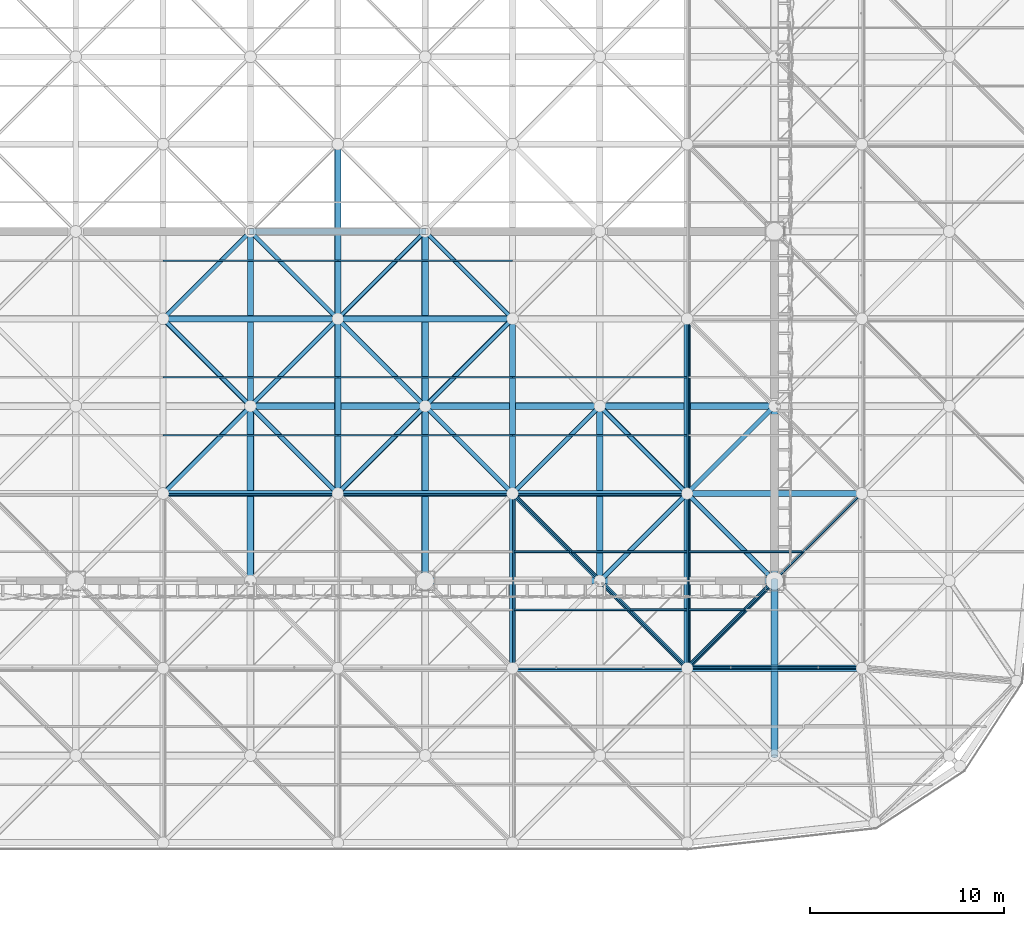
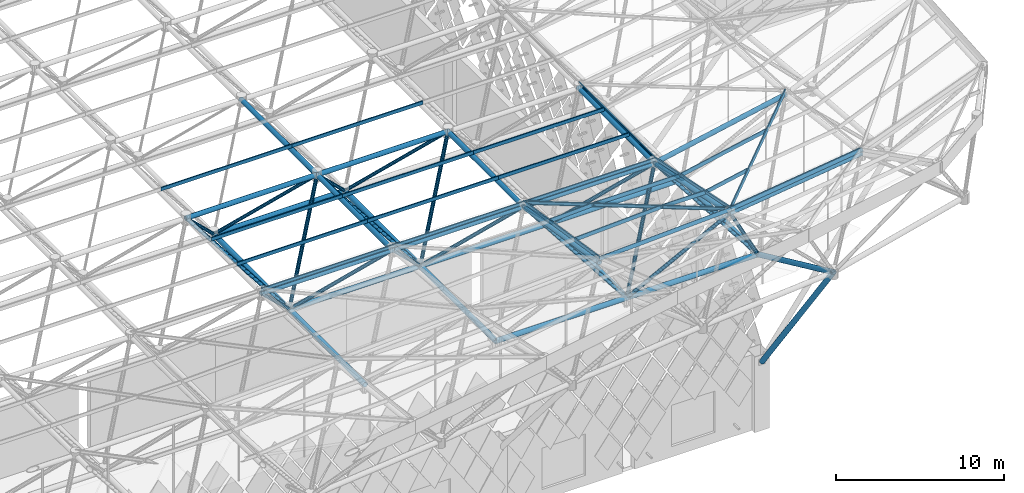
# One storey, part 89 of 437: 72 members.
"""IFC4 building model written with IfcOpenShell, lengths in metres."""

from ifc_helpers import new_model, si_unit, direction, frame, origin, origin_2d, place, context, subcontext, project, spatial, polyline, hollow_circle, outline, extrude, material, material_profile, profile_set, type_object, element, save


model = new_model("IFC4")

# Units and contexts
model_context = context("Model", 3, precision=1e-05, world=origin(), true_north=direction((0.0, 1.0)))
body_context = subcontext(model_context, "Body", "Model", "MODEL_VIEW")
ifc_project = project(units=[si_unit("LENGTHUNIT", "METRE"), si_unit("AREAUNIT", "SQUARE_METRE"), si_unit("VOLUMEUNIT", "CUBIC_METRE"), si_unit("PLANEANGLEUNIT", "RADIAN"), si_unit("MASSUNIT", "GRAM", prefix="KILO")], contexts=[model_context])

# Site, building, storey
site_placement = place(None, origin())
site = spatial("IfcSite", under=ifc_project, at=site_placement, CompositionType="ELEMENT")
building_placement = place(site_placement, origin())
building = spatial("IfcBuilding", under=site, at=building_placement, Name="Opaline Strait Convention Centre", CompositionType="ELEMENT")
storey_placement = place(building_placement, frame((0.0, 0.0, 11.5)))
storey = spatial("IfcBuildingStorey", under=building, at=storey_placement, Name="L02", CompositionType="ELEMENT", Elevation=11.5)

# Members
ifc_material = material(Name="Steel Q355B", Category="steel")
ifc_material_profile_1 = material_profile(ifc_material, hollow_circle(Radius=0.175537109375, WallThickness=0.01611328125, at=origin_2d()), Name="CHS 351x16")
ifc_profile_set_1 = profile_set([ifc_material_profile_1], Name="Steel Q355B")
member_type_1 = type_object("IfcMemberType", Name="Raking prop CHS 351x16", PredefinedType="BRACE", material=ifc_profile_set_1)
member_1_placement = place(storey_placement, frame((261.0, 53.48388671875, 5.02197265625), z_axis=(0.0, -0.58919697761, 0.807989431599), x_axis=(1.0, 0.0, 0.0)))
element("IfcMember", 1, at=member_1_placement, inside=storey, type_object=member_type_1, Name="Raking prop 261/54 S", PredefinedType="BRACE", context=body_context, shape_type="SweptSolid", body=[
    extrude(hollow_circle(Radius=0.175537109375, WallThickness=0.01611328125, at=origin_2d()), origin(), (0.0, 0.0, 1.0), 14.44921875),
])
ifc_material_profile_2 = material_profile(ifc_material, outline(polyline([(-0.03759765625, -0.125), (0.03759765625, -0.125), (0.03759765625, -0.10498046875), (0.034912109375, -0.10498046875), (0.034912109375, -0.12255859375), (-0.034912109375, -0.12255859375), (-0.034912109375, 0.12255859375), (0.034912109375, 0.12255859375), (0.034912109375, 0.10498046875), (0.03759765625, 0.10498046875), (0.03759765625, 0.125), (-0.03759765625, 0.125), (-0.03759765625, -0.125)])), Name="C 250x75x20x2.5")
ifc_profile_set_2 = profile_set([ifc_material_profile_2], Name="Steel Q355B")
member_type_2 = type_object("IfcMemberType", Name="Roof purlin C 250x75x20x2.5", PredefinedType="PURLIN", material=ifc_profile_set_2)
member_2_placement = place(storey_placement, frame((247.449951171875, 49.41162109375, 19.698486328125), z_axis=(0.99882696864, 0.0, 0.048421965239), x_axis=(0.019477416429, 0.915532762336, -0.401771566115)))
element("IfcMember", 2, at=member_2_placement, inside=storey, type_object=member_type_2, Name="EXB-RF-E-18-0a", PredefinedType="PURLIN", context=body_context, shape_type="SweptSolid", body=[
    extrude(outline(polyline([(-0.03759765625, -0.125), (0.03759765625, -0.125), (0.03759765625, -0.10498046875), (0.034912109375, -0.10498046875), (0.034912109375, -0.12255859375), (-0.034912109375, -0.12255859375), (-0.034912109375, 0.12255859375), (0.034912109375, 0.12255859375), (0.034912109375, 0.10498046875), (0.03759765625, 0.10498046875), (0.03759765625, 0.125), (-0.03759765625, 0.125), (-0.03759765625, -0.125)])), origin(), (0.0, 0.0, 1.0), 9.11083984375),
])
member_3_placement = place(storey_placement, frame((256.449951171875, 49.412109375, 20.131591796875), z_axis=(0.991630499032, 0.0, 0.129108301009), x_axis=(0.051618787349, 0.916598046716, -0.39646377079)))
element("IfcMember", 3, at=member_3_placement, inside=storey, type_object=member_type_2, Name="EXB-RF-E-19-0b", PredefinedType="PURLIN", context=body_context, shape_type="SweptSolid", body=[
    extrude(outline(polyline([(-0.03759765625, -0.125), (0.03759765625, -0.125), (0.03759765625, -0.10498046875), (0.034912109375, -0.10498046875), (0.034912109375, -0.12255859375), (-0.034912109375, -0.12255859375), (-0.034912109375, 0.12255859375), (0.034912109375, 0.12255859375), (0.034912109375, 0.10498046875), (0.03759765625, 0.10498046875), (0.03759765625, 0.125), (-0.03759765625, 0.125), (-0.03759765625, -0.125)])), origin(), (0.0, 0.0, 1.0), 9.177001953125),
])
for number, where, z_axis, x_axis, name in (
    (4, (238.550048828125, 58.4482421875, 18.26220703125), (-1.0, 0.0, 0.0), (0.0, -0.995149078082, 0.098378414266), "EXB-RF-E-16-1a"),
    (5, (247.550048828125, 58.441650390625, 18.2666015625), (-1.0, 0.0, 0.0), (0.0, -0.988092083083, 0.153863690806), "EXB-RF-E-17-1a"),
):
    element("IfcMember", number, at=place(storey_placement, frame(where, z_axis=z_axis, x_axis=x_axis)), inside=storey, type_object=member_type_2, Name=name, PredefinedType="PURLIN", context=body_context, shape_type="SweptSolid", body=[
        extrude(outline(polyline([(-0.03759765625, -0.125), (0.03759765625, -0.125), (0.03759765625, -0.10498046875), (0.034912109375, -0.10498046875), (0.034912109375, -0.12255859375), (-0.034912109375, -0.12255859375), (-0.034912109375, 0.12255859375), (0.034912109375, 0.12255859375), (0.034912109375, 0.10498046875), (0.03759765625, 0.10498046875), (0.03759765625, 0.125), (-0.03759765625, 0.125), (-0.03759765625, -0.125)])), origin(), (0.0, 0.0, 1.0), 9.10009765625),
    ])
member_4_placement = place(storey_placement, frame((256.5, 49.5, 20.09326171875), z_axis=(-0.699850097558, 0.699850097558, -0.142897452374), x_axis=(-0.712685495403, -0.697562775149, 0.074064562165)))
element("IfcMember", 6, at=member_4_placement, inside=storey, type_object=member_type_2, Name="EXB-RF-F-18-1", PredefinedType="PURLIN", context=body_context, shape_type="SweptSolid", body=[
    extrude(outline(polyline([(-0.03759765625, -0.125), (0.03759765625, -0.125), (0.03759765625, -0.10498046875), (0.034912109375, -0.10498046875), (0.034912109375, -0.12255859375), (-0.034912109375, -0.12255859375), (-0.034912109375, 0.12255859375), (0.034912109375, 0.12255859375), (0.034912109375, 0.10498046875), (0.03759765625, 0.10498046875), (0.03759765625, 0.125), (-0.03759765625, 0.125), (-0.03759765625, -0.125)])), origin(), (0.0, 0.0, 1.0), 12.85986328125),
])
member_5_placement = place(storey_placement, frame((256.550048828125, 58.43603515625, 18.270751953125), z_axis=(-1.0, 0.0, 0.0), x_axis=(0.0, -0.97978004307, 0.200077652928)))
element("IfcMember", 7, at=member_5_placement, inside=storey, type_object=member_type_2, Name="EXB-RF-E-18-1a", PredefinedType="PURLIN", context=body_context, shape_type="SweptSolid", body=[
    extrude(outline(polyline([(-0.03759765625, -0.125), (0.03759765625, -0.125), (0.03759765625, -0.10498046875), (0.034912109375, -0.10498046875), (0.034912109375, -0.12255859375), (-0.034912109375, -0.12255859375), (-0.034912109375, 0.12255859375), (0.034912109375, 0.12255859375), (0.034912109375, 0.10498046875), (0.03759765625, 0.10498046875), (0.03759765625, 0.125), (-0.03759765625, 0.125), (-0.03759765625, -0.125)])), origin(), (0.0, 0.0, 1.0), 9.10009765625),
])
member_6_placement = place(storey_placement, frame((253.550048828125, 52.5, 19.48291015625), z_axis=(1.0, 0.0, 0.0), x_axis=(0.0, 0.97978004307, -0.200077652928)))
element("IfcMember", 8, at=member_6_placement, inside=storey, type_object=member_type_2, Name="EXB-RF-P-18-1-0a", PredefinedType="PURLIN", context=body_context, shape_type="SweptSolid", body=[
    extrude(outline(polyline([(-0.03759765625, -0.125), (0.03759765625, -0.125), (0.03759765625, -0.10498046875), (0.034912109375, -0.10498046875), (0.034912109375, -0.12255859375), (-0.034912109375, -0.12255859375), (-0.034912109375, 0.12255859375), (0.034912109375, 0.12255859375), (0.034912109375, 0.10498046875), (0.03759765625, 0.10498046875), (0.03759765625, 0.125), (-0.03759765625, 0.125), (-0.03759765625, -0.125)])), origin(), (0.0, 0.0, 1.0), 2.949951171875),
])
member_7_placement = place(storey_placement, frame((250.550048828125, 55.5, 18.870361328125), z_axis=(1.0, 0.0, 0.0), x_axis=(0.0, 0.97978004307, -0.200077652928)))
element("IfcMember", 9, at=member_7_placement, inside=storey, type_object=member_type_2, Name="EXB-RF-P-18-1-1a", PredefinedType="PURLIN", context=body_context, shape_type="SweptSolid", body=[
    extrude(outline(polyline([(-0.03759765625, -0.125), (0.03759765625, -0.125), (0.03759765625, -0.10498046875), (0.034912109375, -0.10498046875), (0.034912109375, -0.12255859375), (-0.034912109375, -0.12255859375), (-0.034912109375, 0.12255859375), (0.034912109375, 0.12255859375), (0.034912109375, 0.10498046875), (0.03759765625, 0.10498046875), (0.03759765625, 0.125), (-0.03759765625, 0.125), (-0.03759765625, -0.125)])), origin(), (0.0, 0.0, 1.0), 5.949951171875),
])
member_8_placement = place(storey_placement, frame((247.545654296875, 58.550048828125, 18.251953125), z_axis=(0.0, -0.988093016125, 0.153857698814), x_axis=(0.998854157138, 0.007363297001, 0.047287996623)))
element("IfcMember", 10, at=member_8_placement, inside=storey, type_object=member_type_2, Name="EXB-RF-E-18-1b", PredefinedType="PURLIN", context=body_context, shape_type="SweptSolid", body=[
    extrude(outline(polyline([(-0.03759765625, -0.125), (0.03759765625, -0.125), (0.03759765625, -0.10498046875), (0.034912109375, -0.10498046875), (0.034912109375, -0.12255859375), (-0.034912109375, -0.12255859375), (-0.034912109375, 0.12255859375), (0.034912109375, 0.12255859375), (0.034912109375, 0.10498046875), (0.03759765625, 0.10498046875), (0.03759765625, 0.125), (-0.03759765625, 0.125), (-0.03759765625, -0.125)])), origin(), (0.0, 0.0, 1.0), 9.209716796875),
])
member_9_placement = place(storey_placement, frame((247.580322265625, 52.5, 19.19580078125), z_axis=(0.998826020223, 0.0, 0.048441524814), x_axis=(0.007453391796, 0.988092083083, -0.153683057944)))
element("IfcMember", 11, at=member_9_placement, inside=storey, type_object=member_type_2, Name="EXB-RF-P-18-1-0b", PredefinedType="PURLIN", context=body_context, shape_type="SweptSolid", body=[
    extrude(outline(polyline([(-0.03759765625, -0.125), (0.03759765625, -0.125), (0.03759765625, -0.10498046875), (0.034912109375, -0.10498046875), (0.034912109375, -0.12255859375), (-0.034912109375, -0.12255859375), (-0.034912109375, 0.12255859375), (0.034912109375, 0.12255859375), (0.034912109375, 0.10498046875), (0.03759765625, 0.10498046875), (0.03759765625, 0.125), (-0.03759765625, 0.125), (-0.03759765625, -0.125)])), origin(), (0.0, 0.0, 1.0), 5.87646484375),
])
member_10_placement = place(storey_placement, frame((247.580322265625, 55.5, 18.728515625), z_axis=(0.998826229539, 0.0, 0.048437208681), x_axis=(0.0074527277, 0.988092083083, -0.153683090151)))
element("IfcMember", 12, at=member_10_placement, inside=storey, type_object=member_type_2, Name="EXB-RF-P-18-1-1b", PredefinedType="PURLIN", context=body_context, shape_type="SweptSolid", body=[
    extrude(outline(polyline([(-0.03759765625, -0.125), (0.03759765625, -0.125), (0.03759765625, -0.10498046875), (0.034912109375, -0.10498046875), (0.034912109375, -0.12255859375), (-0.034912109375, -0.12255859375), (-0.034912109375, 0.12255859375), (0.034912109375, 0.12255859375), (0.034912109375, 0.10498046875), (0.03759765625, 0.10498046875), (0.03759765625, 0.125), (-0.03759765625, 0.125), (-0.03759765625, -0.125)])), origin(), (0.0, 0.0, 1.0), 2.873046875),
])
member_11_placement = place(storey_placement, frame((256.5, 49.5, 20.094970703125), z_axis=(0.707106781187, 0.707106781187, 0.0), x_axis=(-0.695418880638, 0.695418880638, -0.181066730526)))
element("IfcMember", 13, at=member_11_placement, inside=storey, type_object=member_type_2, Name="EXB-RF-F-19-1", PredefinedType="PURLIN", context=body_context, shape_type="SweptSolid", body=[
    extrude(outline(polyline([(-0.03759765625, -0.125), (0.03759765625, -0.125), (0.03759765625, -0.10498046875), (0.034912109375, -0.10498046875), (0.034912109375, -0.12255859375), (-0.034912109375, -0.12255859375), (-0.034912109375, 0.12255859375), (0.034912109375, 0.12255859375), (0.034912109375, 0.10498046875), (0.03759765625, 0.10498046875), (0.03759765625, 0.125), (-0.03759765625, 0.125), (-0.03759765625, -0.125)])), origin(), (0.0, 0.0, 1.0), 12.72802734375),
])
member_12_placement = place(storey_placement, frame((256.449951171875, 49.5400390625, 20.08447265625), z_axis=(0.991630499032, 0.0, 0.129108301009), x_axis=(0.016530030007, 0.991770001337, -0.126960712644)))
element("IfcMember", 14, at=member_12_placement, inside=storey, type_object=member_type_2, Name="EXB-RF-E-19-1a", PredefinedType="PURLIN", context=body_context, shape_type="SweptSolid", body=[
    extrude(outline(polyline([(-0.03759765625, -0.125), (0.03759765625, -0.125), (0.03759765625, -0.10498046875), (0.034912109375, -0.10498046875), (0.034912109375, -0.12255859375), (-0.034912109375, -0.12255859375), (-0.034912109375, 0.12255859375), (0.034912109375, 0.12255859375), (0.034912109375, 0.10498046875), (0.03759765625, 0.10498046875), (0.03759765625, 0.125), (-0.03759765625, 0.125), (-0.03759765625, -0.125)])), origin(), (0.0, 0.0, 1.0), 9.177001953125),
])
member_13_placement = place(storey_placement, frame((256.5634765625, 58.550048828125, 18.26318359375), z_axis=(0.0, -0.979783138157, 0.200062495694), x_axis=(0.980566065775, 0.039250095094, 0.192222841219)))
element("IfcMember", 15, at=member_13_placement, inside=storey, type_object=member_type_2, Name="EXB-RF-E-19-1b", PredefinedType="PURLIN", context=body_context, shape_type="SweptSolid", body=[
    extrude(outline(polyline([(-0.03759765625, -0.125), (0.03759765625, -0.125), (0.03759765625, -0.10498046875), (0.034912109375, -0.10498046875), (0.034912109375, -0.12255859375), (-0.034912109375, -0.12255859375), (-0.034912109375, 0.12255859375), (0.034912109375, 0.12255859375), (0.034912109375, 0.10498046875), (0.03759765625, 0.10498046875), (0.03759765625, 0.125), (-0.03759765625, 0.125), (-0.03759765625, -0.125)])), origin(), (0.0, 0.0, 1.0), 9.287841796875),
])
member_14_placement = place(storey_placement, frame((256.59814453125, 52.5, 19.505615234375), z_axis=(0.979785608704, 0.0, 0.200050396093), x_axis=(0.040025613717, 0.97978004307, -0.196033204962)))
element("IfcMember", 16, at=member_14_placement, inside=storey, type_object=member_type_2, Name="EXB-RF-P-19-1-0b", PredefinedType="PURLIN", context=body_context, shape_type="SweptSolid", body=[
    extrude(outline(polyline([(-0.03759765625, -0.125), (0.03759765625, -0.125), (0.03759765625, -0.10498046875), (0.034912109375, -0.10498046875), (0.034912109375, -0.12255859375), (-0.034912109375, -0.12255859375), (-0.034912109375, 0.12255859375), (0.034912109375, 0.12255859375), (0.034912109375, 0.10498046875), (0.03759765625, 0.10498046875), (0.03759765625, 0.125), (-0.03759765625, 0.125), (-0.03759765625, -0.125)])), origin(), (0.0, 0.0, 1.0), 2.91064453125),
])
member_15_placement = place(storey_placement, frame((256.59814453125, 55.5, 18.892822265625), z_axis=(0.979777081939, 0.0, 0.200092153035), x_axis=(0.040033968348, 0.97978004307, -0.196031498947)))
element("IfcMember", 17, at=member_15_placement, inside=storey, type_object=member_type_2, Name="EXB-RF-P-19-1-1b", PredefinedType="PURLIN", context=body_context, shape_type="SweptSolid", body=[
    extrude(outline(polyline([(-0.03759765625, -0.125), (0.03759765625, -0.125), (0.03759765625, -0.10498046875), (0.034912109375, -0.10498046875), (0.034912109375, -0.12255859375), (-0.034912109375, -0.12255859375), (-0.034912109375, 0.12255859375), (0.034912109375, 0.12255859375), (0.034912109375, 0.10498046875), (0.03759765625, 0.10498046875), (0.03759765625, 0.125), (-0.03759765625, 0.125), (-0.03759765625, -0.125)])), origin(), (0.0, 0.0, 1.0), 5.97265625),
])
for number, where, z_axis, x_axis, name in (
    (18, (229.5, 61.5, 18.257080078125), (1.0, 0.0, 0.0), (0.0, 1.0, 0.0), "EXB-RF-P-16-2-0"),
    (19, (229.5, 64.5, 18.257080078125), (1.0, 0.0, 0.0), (0.0, 1.0, 0.0), "EXB-RF-P-16-2-1"),
    (20, (238.5, 61.5, 18.257080078125), (1.0, 0.0, 0.0), (0.0, 1.0, 0.0), "EXB-RF-P-17-2-0"),
    (21, (238.5, 64.5, 18.257080078125), (1.0, 0.0, 0.0), (0.0, 1.0, 0.0), "EXB-RF-P-17-2-1"),
    (22, (247.5, 61.5, 18.257080078125), (1.0, 0.0, 0.0), (0.0, 1.0, 0.0), "EXB-RF-P-18-2-0"),
    (23, (247.5, 64.5, 18.257080078125), (1.0, 0.0, 0.0), (0.0, 1.0, 0.0), "EXB-RF-P-18-2-1"),
):
    element("IfcMember", number, at=place(storey_placement, frame(where, z_axis=z_axis, x_axis=x_axis)), inside=storey, type_object=member_type_2, Name=name, PredefinedType="PURLIN", context=body_context, shape_type="SweptSolid", body=[
        extrude(outline(polyline([(-0.03759765625, -0.125), (0.03759765625, -0.125), (0.03759765625, -0.10498046875), (0.034912109375, -0.10498046875), (0.034912109375, -0.12255859375), (-0.034912109375, -0.12255859375), (-0.034912109375, 0.12255859375), (0.034912109375, 0.12255859375), (0.034912109375, 0.10498046875), (0.03759765625, 0.10498046875), (0.03759765625, 0.125), (-0.03759765625, 0.125), (-0.03759765625, -0.125)])), origin(), (0.0, 0.0, 1.0), 9.0),
    ])
member_16_placement = place(storey_placement, frame((256.56396484375, 58.449951171875, 18.272705078125), z_axis=(0.0, 1.0, 0.0), x_axis=(-0.97978004307, 0.0, -0.200077652928)))
element("IfcMember", 24, at=member_16_placement, inside=storey, type_object=member_type_2, Name="EXB-RF-E-19-2b", PredefinedType="PURLIN", context=body_context, shape_type="SweptSolid", body=[
    extrude(outline(polyline([(-0.03759765625, -0.125), (0.03759765625, -0.125), (0.03759765625, -0.10498046875), (0.034912109375, -0.10498046875), (0.034912109375, -0.12255859375), (-0.034912109375, -0.12255859375), (-0.034912109375, 0.12255859375), (0.034912109375, 0.12255859375), (0.034912109375, 0.10498046875), (0.03759765625, 0.10498046875), (0.03759765625, 0.125), (-0.03759765625, 0.125), (-0.03759765625, -0.125)])), origin(), (0.0, 0.0, 1.0), 9.10009765625),
])
for number, where, z_axis, x_axis, name in (
    (25, (229.5, 70.5, 18.257080078125), (1.0, 0.0, 0.0), (0.0, 1.0, 0.0), "EXB-RF-P-16-3-0"),
    (26, (238.5, 70.5, 18.257080078125), (1.0, 0.0, 0.0), (0.0, 1.0, 0.0), "EXB-RF-P-17-3-0"),
):
    element("IfcMember", number, at=place(storey_placement, frame(where, z_axis=z_axis, x_axis=x_axis)), inside=storey, type_object=member_type_2, Name=name, PredefinedType="PURLIN", context=body_context, shape_type="SweptSolid", body=[
        extrude(outline(polyline([(-0.03759765625, -0.125), (0.03759765625, -0.125), (0.03759765625, -0.10498046875), (0.034912109375, -0.10498046875), (0.034912109375, -0.12255859375), (-0.034912109375, -0.12255859375), (-0.034912109375, 0.12255859375), (0.034912109375, 0.12255859375), (0.034912109375, 0.10498046875), (0.03759765625, 0.10498046875), (0.03759765625, 0.125), (-0.03759765625, 0.125), (-0.03759765625, -0.125)])), origin(), (0.0, 0.0, 1.0), 9.0),
    ])
ifc_material_profile_3 = material_profile(ifc_material, hollow_circle(Radius=0.16259765625, WallThickness=0.013916015625, at=origin_2d()), Name="CHS 325x14")
ifc_profile_set_3 = profile_set([ifc_material_profile_3], Name="Steel Q355B")
member_type_3 = type_object("IfcMemberType", Name="Space frame bottom chord CHS 325x14", PredefinedType="CHORD", material=ifc_profile_set_3)
for number, where, z_axis, x_axis, name in (
    (27, (233.949951171875, 72.0, 12.5), (1.0, 0.0, 0.0), (0.0, 1.0, 0.0), "EXB-RF-BX-16-3"),
    (28, (234.0, 62.949951171875, 12.5), (0.0, 1.0, 0.0), (-1.0, 0.0, 0.0), "EXB-RF-BY-16-2"),
):
    element("IfcMember", number, at=place(storey_placement, frame(where, z_axis=z_axis, x_axis=x_axis)), inside=storey, type_object=member_type_3, Name=name, PredefinedType="CHORD", context=body_context, shape_type="SweptSolid", body=[
        extrude(hollow_circle(Radius=0.16259765625, WallThickness=0.013916015625, at=origin_2d()), origin(), (0.0, 0.0, 1.0), 9.10009765625),
    ])
ifc_material_profile_4 = material_profile(ifc_material, hollow_circle(Radius=0.175537109375, WallThickness=0.01611328125, at=origin_2d()), Name="CHS 351x16")
ifc_profile_set_4 = profile_set([ifc_material_profile_4], Name="Steel Q355B")
member_type_4 = type_object("IfcMemberType", Name="Space frame bottom chord CHS 351x16", PredefinedType="CHORD", material=ifc_profile_set_4)
for number, where, z_axis, x_axis, name in (
    (29, (242.949951171875, 54.0, 12.5), (1.0, 0.0, 0.0), (0.0, 1.0, 0.0), "EXB-RF-BX-17-1"),
    (30, (251.949951171875, 54.0, 12.5), (1.0, 0.0, 0.0), (0.0, 1.0, 0.0), "EXB-RF-BX-18-1"),
    (31, (233.949951171875, 63.0, 12.5), (1.0, 0.0, 0.0), (0.0, 1.0, 0.0), "EXB-RF-BX-16-2"),
    (32, (242.949951171875, 63.0, 12.5), (1.0, 0.0, 0.0), (0.0, 1.0, 0.0), "EXB-RF-BX-17-2"),
    (33, (251.949951171875, 63.0, 12.5), (1.0, 0.0, 0.0), (0.0, 1.0, 0.0), "EXB-RF-BX-18-2"),
    (34, (234.0, 53.949951171875, 12.5), (0.0, 1.0, 0.0), (-1.0, 0.0, 0.0), "EXB-RF-BY-16-1"),
    (35, (243.0, 53.949951171875, 12.5), (0.0, 1.0, 0.0), (-1.0, 0.0, 0.0), "EXB-RF-BY-17-1"),
    (36, (243.0, 62.949951171875, 12.5), (0.0, 1.0, 0.0), (-1.0, 0.0, 0.0), "EXB-RF-BY-17-2"),
    (37, (252.0, 53.949951171875, 12.5), (0.0, 1.0, 0.0), (-1.0, 0.0, 0.0), "EXB-RF-BY-18-1"),
):
    element("IfcMember", number, at=place(storey_placement, frame(where, z_axis=z_axis, x_axis=x_axis)), inside=storey, type_object=member_type_4, Name=name, PredefinedType="CHORD", context=body_context, shape_type="SweptSolid", body=[
        extrude(hollow_circle(Radius=0.175537109375, WallThickness=0.01611328125, at=origin_2d()), origin(), (0.0, 0.0, 1.0), 9.10009765625),
    ])
member_17_placement = place(storey_placement, frame((261.0, 44.95458984375, 16.677490234375), z_axis=(0.0, 0.907855885671, -0.419282352183), x_axis=(-1.0, 0.0, 0.0)))
element("IfcMember", 38, at=member_17_placement, inside=storey, type_object=member_type_4, Name="EXB-RF-BY-19-0", PredefinedType="CHORD", context=body_context, shape_type="SweptSolid", body=[
    extrude(hollow_circle(Radius=0.175537109375, WallThickness=0.01611328125, at=origin_2d()), origin(), (0.0, 0.0, 1.0), 10.013427734375),
])
member_18_placement = place(storey_placement, frame((261.0, 53.949951171875, 12.5), z_axis=(0.0, 1.0, 0.0), x_axis=(-1.0, 0.0, 0.0)))
element("IfcMember", 39, at=member_18_placement, inside=storey, type_object=member_type_4, Name="EXB-RF-BY-19-1", PredefinedType="CHORD", context=body_context, shape_type="SweptSolid", body=[
    extrude(hollow_circle(Radius=0.175537109375, WallThickness=0.01611328125, at=origin_2d()), origin(), (0.0, 0.0, 1.0), 9.10009765625),
])
ifc_material_profile_5 = material_profile(ifc_material, hollow_circle(Radius=0.16259765625, WallThickness=0.013916015625, at=origin_2d()), Name="CHS 325x14")
ifc_profile_set_5 = profile_set([ifc_material_profile_5], Name="Steel Q355B")
member_type_5 = type_object("IfcMemberType", Name="Space frame top chord CHS 325x14", PredefinedType="CHORD", material=ifc_profile_set_5)
for number, where, z_axis, x_axis, name in (
    (40, (229.449951171875, 67.5, 17.971435546875), (1.0, 0.0, 0.0), (0.0, 1.0, 0.0), "EXB-RF-TX-16-3"),
    (41, (238.5, 67.449951171875, 17.971435546875), (0.0, 1.0, 0.0), (-1.0, 0.0, 0.0), "EXB-RF-TY-17-3"),
):
    element("IfcMember", number, at=place(storey_placement, frame(where, z_axis=z_axis, x_axis=x_axis)), inside=storey, type_object=member_type_5, Name=name, PredefinedType="CHORD", context=body_context, shape_type="SweptSolid", body=[
        extrude(hollow_circle(Radius=0.16259765625, WallThickness=0.013916015625, at=origin_2d()), origin(), (0.0, 0.0, 1.0), 9.10009765625),
    ])
ifc_material_profile_6 = material_profile(ifc_material, hollow_circle(Radius=0.16259765625, WallThickness=0.02001953125, at=origin_2d()), Name="CHS 325x20")
ifc_profile_set_6 = profile_set([ifc_material_profile_6], Name="Steel Q355B")
member_type_6 = type_object("IfcMemberType", Name="Space frame top chord CHS 325x20", PredefinedType="CHORD", material=ifc_profile_set_6)
member_19_placement = place(storey_placement, frame((256.450439453125, 49.5, 19.802978515625), z_axis=(0.991632131326, 0.0, 0.129095763381), x_axis=(0.0, 1.0, 0.0)))
element("IfcMember", 42, at=member_19_placement, inside=storey, type_object=member_type_6, Name="EXB-RF-TX-19-1", PredefinedType="CHORD", context=body_context, shape_type="SweptSolid", body=[
    extrude(hollow_circle(Radius=0.16259765625, WallThickness=0.02001953125, at=origin_2d()), origin(), (0.0, 0.0, 1.0), 9.176025390625),
])
for number, where, z_axis, x_axis, name in (
    (43, (229.449951171875, 58.5, 17.971435546875), (1.0, 0.0, 0.0), (0.0, 1.0, 0.0), "EXB-RF-TX-16-2"),
    (44, (238.449951171875, 58.5, 17.971435546875), (1.0, 0.0, 0.0), (0.0, 1.0, 0.0), "EXB-RF-TX-17-2"),
    (45, (247.449951171875, 58.5, 17.971435546875), (1.0, 0.0, 0.0), (0.0, 1.0, 0.0), "EXB-RF-TX-18-2"),
):
    element("IfcMember", number, at=place(storey_placement, frame(where, z_axis=z_axis, x_axis=x_axis)), inside=storey, type_object=member_type_6, Name=name, PredefinedType="CHORD", context=body_context, shape_type="SweptSolid", body=[
        extrude(hollow_circle(Radius=0.16259765625, WallThickness=0.02001953125, at=origin_2d()), origin(), (0.0, 0.0, 1.0), 9.10009765625),
    ])
member_20_placement = place(storey_placement, frame((256.450927734375, 58.5, 17.96142578125), z_axis=(0.979779873088, 0.0, 0.200078485327), x_axis=(0.0, 1.0, 0.0)))
element("IfcMember", 46, at=member_20_placement, inside=storey, type_object=member_type_6, Name="EXB-RF-TX-19-2", PredefinedType="CHORD", context=body_context, shape_type="SweptSolid", body=[
    extrude(hollow_circle(Radius=0.16259765625, WallThickness=0.02001953125, at=origin_2d()), origin(), (0.0, 0.0, 1.0), 9.285888671875),
])
for number, where, z_axis, x_axis, name in (
    (47, (238.449951171875, 67.5, 17.971435546875), (1.0, 0.0, 0.0), (0.0, 1.0, 0.0), "EXB-RF-TX-17-3"),
    (48, (238.5, 58.449951171875, 17.971435546875), (0.0, 1.0, 0.0), (-1.0, 0.0, 0.0), "EXB-RF-TY-17-2"),
):
    element("IfcMember", number, at=place(storey_placement, frame(where, z_axis=z_axis, x_axis=x_axis)), inside=storey, type_object=member_type_6, Name=name, PredefinedType="CHORD", context=body_context, shape_type="SweptSolid", body=[
        extrude(hollow_circle(Radius=0.16259765625, WallThickness=0.02001953125, at=origin_2d()), origin(), (0.0, 0.0, 1.0), 9.10009765625),
    ])
member_21_placement = place(storey_placement, frame((247.5, 49.45068359375, 19.380615234375), z_axis=(0.0, 0.988093281059, -0.15385599737), x_axis=(-1.0, 0.0, 0.0)))
element("IfcMember", 49, at=member_21_placement, inside=storey, type_object=member_type_6, Name="EXB-RF-TY-18-1", PredefinedType="CHORD", context=body_context, shape_type="SweptSolid", body=[
    extrude(hollow_circle(Radius=0.16259765625, WallThickness=0.02001953125, at=origin_2d()), origin(), (0.0, 0.0, 1.0), 9.208251953125),
])
member_22_placement = place(storey_placement, frame((247.5, 58.449951171875, 17.971435546875), z_axis=(0.0, 1.0, 0.0), x_axis=(-1.0, 0.0, 0.0)))
element("IfcMember", 50, at=member_22_placement, inside=storey, type_object=member_type_6, Name="EXB-RF-TY-18-2", PredefinedType="CHORD", context=body_context, shape_type="SweptSolid", body=[
    extrude(hollow_circle(Radius=0.16259765625, WallThickness=0.02001953125, at=origin_2d()), origin(), (0.0, 0.0, 1.0), 9.10009765625),
])
member_23_placement = place(storey_placement, frame((256.5, 49.450927734375, 19.8193359375), z_axis=(0.0, 0.979779873088, -0.200078485327), x_axis=(-1.0, 0.0, 0.0)))
element("IfcMember", 51, at=member_23_placement, inside=storey, type_object=member_type_6, Name="EXB-RF-TY-19-1", PredefinedType="CHORD", context=body_context, shape_type="SweptSolid", body=[
    extrude(hollow_circle(Radius=0.16259765625, WallThickness=0.02001953125, at=origin_2d()), origin(), (0.0, 0.0, 1.0), 9.285888671875),
])
member_24_placement = place(storey_placement, frame((256.5, 58.449951171875, 17.971435546875), z_axis=(0.0, 1.0, 0.0), x_axis=(-1.0, 0.0, 0.0)))
element("IfcMember", 52, at=member_24_placement, inside=storey, type_object=member_type_6, Name="EXB-RF-TY-19-2", PredefinedType="CHORD", context=body_context, shape_type="SweptSolid", body=[
    extrude(hollow_circle(Radius=0.16259765625, WallThickness=0.02001953125, at=origin_2d()), origin(), (0.0, 0.0, 1.0), 9.10009765625),
])
ifc_material_profile_7 = material_profile(ifc_material, hollow_circle(Radius=0.109619140625, WallThickness=0.010009765625, at=origin_2d()), Name="CHS 219x10")
ifc_profile_set_7 = profile_set([ifc_material_profile_7], Name="Steel Q355B")
member_type_7 = type_object("IfcMemberType", Name="Space frame web CHS 219x10", PredefinedType="BRACE", material=ifc_profile_set_7)
for number, where, z_axis, x_axis, name in (
    (53, (229.47314453125, 67.47314453125, 18.004150390625), (0.536178220346, 0.536178220346, -0.6519400525), (-0.707106781187, 0.707106781187, 0.0), "EXB-RF-W-16-3-00"),
    (54, (238.52685546875, 67.47314453125, 18.004150390625), (-0.536178220346, 0.536178220346, -0.6519400525), (-0.707106781187, -0.707106781187, 0.0), "EXB-RF-W-16-3-10"),
    (55, (238.47314453125, 67.47314453125, 18.004150390625), (0.536178220346, 0.536178220346, -0.6519400525), (-0.707106781187, 0.707106781187, 0.0), "EXB-RF-W-17-3-00"),
    (56, (247.52685546875, 67.47314453125, 18.004150390625), (-0.536178220346, 0.536178220346, -0.6519400525), (-0.707106781187, -0.707106781187, 0.0), "EXB-RF-W-17-3-10"),
):
    element("IfcMember", number, at=place(storey_placement, frame(where, z_axis=z_axis, x_axis=x_axis)), inside=storey, type_object=member_type_7, Name=name, PredefinedType="BRACE", context=body_context, shape_type="SweptSolid", body=[
        extrude(hollow_circle(Radius=0.109619140625, WallThickness=0.010009765625, at=origin_2d()), origin(), (0.0, 0.0, 1.0), 8.492919921875),
    ])
ifc_material_profile_8 = material_profile(ifc_material, hollow_circle(Radius=0.12255859375, WallThickness=0.011962890625, at=origin_2d()), Name="CHS 245x12")
ifc_profile_set_8 = profile_set([ifc_material_profile_8], Name="Steel Q355B")
member_type_8 = type_object("IfcMemberType", Name="Space frame web CHS 245x12", PredefinedType="BRACE", material=ifc_profile_set_8)
for number, where, z_axis, x_axis, name in (
    (57, (229.47314453125, 58.47314453125, 18.004150390625), (0.536178220346, 0.536178220346, -0.6519400525), (-0.707106781187, 0.707106781187, 0.0), "EXB-RF-W-16-2-00"),
    (58, (229.47314453125, 67.52685546875, 18.004150390625), (0.536178220346, -0.536178220346, -0.6519400525), (0.707106781187, 0.707106781187, 0.0), "EXB-RF-W-16-2-01"),
    (59, (238.52685546875, 58.47314453125, 18.004150390625), (-0.536178220346, 0.536178220346, -0.6519400525), (-0.707106781187, -0.707106781187, 0.0), "EXB-RF-W-16-2-10"),
    (60, (238.52685546875, 67.52685546875, 18.004150390625), (-0.536178220346, -0.536178220346, -0.6519400525), (0.707106781187, -0.707106781187, 0.0), "EXB-RF-W-16-2-11"),
    (61, (238.47314453125, 58.47314453125, 18.004150390625), (0.536178220346, 0.536178220346, -0.6519400525), (-0.707106781187, 0.707106781187, 0.0), "EXB-RF-W-17-2-00"),
    (62, (238.47314453125, 67.52685546875, 18.004150390625), (0.536178220346, -0.536178220346, -0.6519400525), (0.707106781187, 0.707106781187, 0.0), "EXB-RF-W-17-2-01"),
    (63, (247.52685546875, 58.47314453125, 18.004150390625), (-0.536178220346, 0.536178220346, -0.6519400525), (-0.707106781187, -0.707106781187, 0.0), "EXB-RF-W-17-2-10"),
    (64, (247.52685546875, 67.52685546875, 18.004150390625), (-0.536178220346, -0.536178220346, -0.6519400525), (0.707106781187, -0.707106781187, 0.0), "EXB-RF-W-17-2-11"),
    (65, (247.47314453125, 58.52685546875, 18.004150390625), (0.536178220346, -0.536178220346, -0.6519400525), (0.707106781187, 0.707106781187, 0.0), "EXB-RF-W-18-1-01"),
):
    element("IfcMember", number, at=place(storey_placement, frame(where, z_axis=z_axis, x_axis=x_axis)), inside=storey, type_object=member_type_8, Name=name, PredefinedType="BRACE", context=body_context, shape_type="SweptSolid", body=[
        extrude(hollow_circle(Radius=0.12255859375, WallThickness=0.011962890625, at=origin_2d()), origin(), (0.0, 0.0, 1.0), 8.492919921875),
    ])
member_25_placement = place(storey_placement, frame((256.523193359375, 49.476806640625, 19.84716796875), z_axis=(-0.464318393321, 0.464318393321, -0.754199482396), x_axis=(-0.707106781187, -0.707106781187, 0.0)))
element("IfcMember", 66, at=member_25_placement, inside=storey, type_object=member_type_8, Name="EXB-RF-W-18-1-10", PredefinedType="BRACE", context=body_context, shape_type="SweptSolid", body=[
    extrude(hollow_circle(Radius=0.12255859375, WallThickness=0.011962890625, at=origin_2d()), origin(), (0.0, 0.0, 1.0), 9.79150390625),
])
for number, where, z_axis, x_axis, name in (
    (67, (256.52685546875, 58.52685546875, 18.004150390625), (-0.536178220346, -0.536178220346, -0.6519400525), (0.707106781187, -0.707106781187, 0.0), "EXB-RF-W-18-1-11"),
    (68, (247.47314453125, 58.47314453125, 18.004150390625), (0.536178220346, 0.536178220346, -0.6519400525), (-0.707106781187, 0.707106781187, 0.0), "EXB-RF-W-18-2-00"),
    (69, (256.52685546875, 58.47314453125, 18.004150390625), (-0.536178220346, 0.536178220346, -0.6519400525), (-0.707106781187, -0.707106781187, 0.0), "EXB-RF-W-18-2-10"),
):
    element("IfcMember", number, at=place(storey_placement, frame(where, z_axis=z_axis, x_axis=x_axis)), inside=storey, type_object=member_type_8, Name=name, PredefinedType="BRACE", context=body_context, shape_type="SweptSolid", body=[
        extrude(hollow_circle(Radius=0.12255859375, WallThickness=0.011962890625, at=origin_2d()), origin(), (0.0, 0.0, 1.0), 8.492919921875),
    ])
member_26_placement = place(storey_placement, frame((256.476806640625, 49.476806640625, 19.84716796875), z_axis=(0.464318393321, 0.464318393321, -0.754199482396), x_axis=(-0.707106781187, 0.707106781187, 0.0)))
element("IfcMember", 70, at=member_26_placement, inside=storey, type_object=member_type_8, Name="EXB-RF-W-19-1-00", PredefinedType="BRACE", context=body_context, shape_type="SweptSolid", body=[
    extrude(hollow_circle(Radius=0.12255859375, WallThickness=0.011962890625, at=origin_2d()), origin(), (0.0, 0.0, 1.0), 9.79150390625),
])
for number, where, z_axis, x_axis, name in (
    (71, (256.47314453125, 58.52685546875, 18.004150390625), (0.536178220346, -0.536178220346, -0.6519400525), (0.707106781187, 0.707106781187, 0.0), "EXB-RF-W-19-1-01"),
    (72, (256.47314453125, 58.47314453125, 18.004150390625), (0.536178220346, 0.536178220346, -0.6519400525), (-0.707106781187, 0.707106781187, 0.0), "EXB-RF-W-19-2-00"),
):
    element("IfcMember", number, at=place(storey_placement, frame(where, z_axis=z_axis, x_axis=x_axis)), inside=storey, type_object=member_type_8, Name=name, PredefinedType="BRACE", context=body_context, shape_type="SweptSolid", body=[
        extrude(hollow_circle(Radius=0.12255859375, WallThickness=0.011962890625, at=origin_2d()), origin(), (0.0, 0.0, 1.0), 8.492919921875),
    ])

save(model, "model.ifc")
